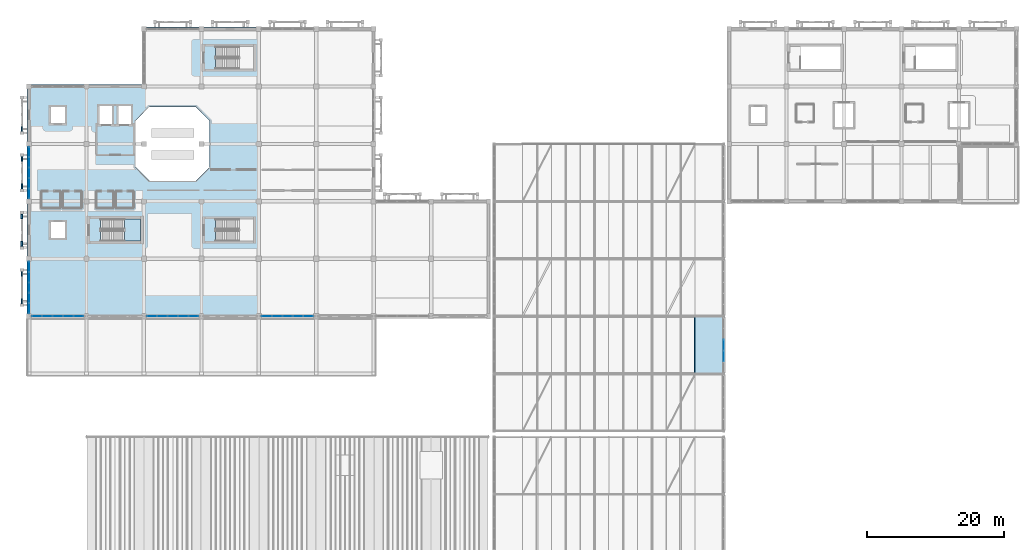
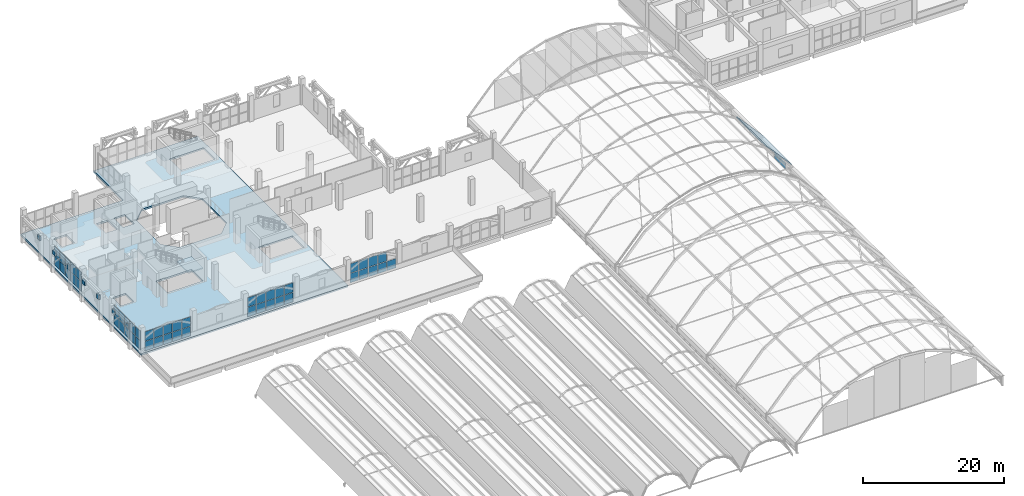
# One storey, part 91 of 114: 60 plates, 3 slabs, 7 elements without a shape of their own.
"""IFC4 building model written with IfcOpenShell, lengths in metres."""

import ifcopenshell
import ifcopenshell.guid

model = None  # the IFC model being written
_history = None  # IfcOwnerHistory: only IFC2X3 demands one
_inside = {}  # id of a spatial element -> (the spatial element, [elements in it])
_under = {}  # id of a project, library or spatial element -> (it, [spatial elements below it])
_declared = {}  # id of a project -> (the project, [libraries it declares])
_typed = {}  # id of a type object -> (the type object, [elements of that type])
_made_of = {}  # id of a material, layer set ... -> (it, [elements and type objects made of it])


def new_model(schema):
    """Start an empty IFC model of exactly this schema.

    Asked for "IFC4X3", IfcOpenShell would pick the latest addendum, in which some entities
    have other attributes; the version numbers below select the first issue.
    IFC2X3 requires an IfcOwnerHistory on every rooted entity: one is made here for all.
    """
    global model, _history
    if schema == "IFC4X3":
        model = ifcopenshell.file(schema_version=(4, 3, 0, 0))
    else:
        model = ifcopenshell.file(schema=schema)
    _inside.clear()
    _under.clear()
    _declared.clear()
    _typed.clear()
    _made_of.clear()
    _history = None
    if model.schema == "IFC2X3":
        org = make("IfcOrganization", Name="unknown")
        user = make(
            "IfcPersonAndOrganization",
            ThePerson=make("IfcPerson", FamilyName="unknown"),
            TheOrganization=org,
        )
        app = make(
            "IfcApplication",
            ApplicationDeveloper=org,
            Version="unknown",
            ApplicationFullName="unknown",
            ApplicationIdentifier="unknown",
        )
        _history = make(
            "IfcOwnerHistory",
            OwningUser=user,
            OwningApplication=app,
            ChangeAction="ADDED",
            CreationDate=0,
        )
    return model


def make(cls, **values):
    """One entity of the class cls with the attributes given. An attribute that is None is left unset."""
    return model.create_entity(
        cls, **{name: value for name, value in values.items() if value is not None}
    )


def rooted(cls, **values):
    """An entity with a GlobalId (a new one), such as an element, a storey or a relation."""
    return make(cls, GlobalId=ifcopenshell.guid.new(), OwnerHistory=_history, **values)


def si_unit(unit_type, name, prefix=None):
    """IfcSIUnit, for example si_unit("LENGTHUNIT", "METRE", prefix="MILLI")."""
    return make("IfcSIUnit", UnitType=unit_type, Prefix=prefix, Name=name)


def assignment(units):
    """IfcUnitAssignment: the units of a project."""
    return None if units is None else make("IfcUnitAssignment", Units=units)


def point(xyz):
    """IfcCartesianPoint."""
    return None if xyz is None else make("IfcCartesianPoint", Coordinates=xyz)


def direction(xyz):
    """IfcDirection."""
    return None if xyz is None else make("IfcDirection", DirectionRatios=xyz)


def frame(location, z_axis=None, x_axis=None):
    """IfcAxis2Placement3D, a coordinate frame: its origin and axes. An axis left out is left unset."""
    return make(
        "IfcAxis2Placement3D",
        Location=point(location),
        Axis=direction(z_axis),
        RefDirection=direction(x_axis),
    )


def frame_2d(location, x_axis=None):
    """IfcAxis2Placement2D, a coordinate frame in the plane: its origin and x axis."""
    return make(
        "IfcAxis2Placement2D", Location=point(location), RefDirection=direction(x_axis)
    )


def origin():
    """The frame at (0, 0, 0) with its axes left unset."""
    return frame((0.0, 0.0, 0.0))


def origin_2d():
    """The frame at (0, 0) in the plane with its x axis left unset."""
    return frame_2d((0.0, 0.0))


def place(relative_to, where):
    """IfcLocalPlacement: puts the frame where relative to a parent placement (None: the world)."""
    return make(
        "IfcLocalPlacement", PlacementRelTo=relative_to, RelativePlacement=where
    )


def context(
    kind, dimensions, precision=None, world=None, true_north=None, identifier=None
):
    """IfcGeometricRepresentationContext, for example the 3D "Model" context."""
    return make(
        "IfcGeometricRepresentationContext",
        ContextIdentifier=identifier,
        ContextType=kind,
        CoordinateSpaceDimension=dimensions,
        Precision=precision,
        WorldCoordinateSystem=world,
        TrueNorth=true_north,
    )


def subcontext(parent, identifier, kind, view, scale=None):
    """IfcGeometricRepresentationSubContext, for example "Body" below "Model"."""
    return make(
        "IfcGeometricRepresentationSubContext",
        ContextIdentifier=identifier,
        ContextType=kind,
        ParentContext=parent,
        TargetScale=scale,
        TargetView=view,
    )


def project(units=None, contexts=None):
    """IfcProject with its units and contexts."""
    return rooted(
        "IfcProject",
        Name="project",
        RepresentationContexts=contexts,
        UnitsInContext=assignment(units),
    )


def spatial(cls, under=None, at=None, **own):
    """A site, building, storey or space (cls), placed at a placement, below another one or the project."""
    s = rooted(cls, ObjectPlacement=at, **own)
    if under is not None:
        _under.setdefault(under.id(), (under, []))[1].append(s)
    return s


def polyline(points):
    """IfcPolyline through the points."""
    return make("IfcPolyline", Points=[point(p) for p in points])


def profile(cls, at=None, kind="AREA", **sizes):
    """A parametric profile (cls). Its sizes go by their IFC names, for example OverallWidth=200.0."""
    return make(cls, ProfileType=kind, Position=at, **sizes)


def rectangle(**sizes):
    """IfcRectangleProfileDef."""
    return profile("IfcRectangleProfileDef", **sizes)


def outline(outer, holes=None, kind="AREA"):
    """IfcArbitraryClosedProfileDef: a profile drawn as a closed curve; with holes, ...WithVoids."""
    if holes is None:
        return make("IfcArbitraryClosedProfileDef", ProfileType=kind, OuterCurve=outer)
    return make(
        "IfcArbitraryProfileDefWithVoids",
        ProfileType=kind,
        OuterCurve=outer,
        InnerCurves=holes,
    )


def extrude(swept, where, along, depth):
    """IfcExtrudedAreaSolid: the profile swept, set in the frame where, extruded along a direction by depth."""
    return make(
        "IfcExtrudedAreaSolid",
        SweptArea=swept,
        Position=where,
        ExtrudedDirection=direction(along),
        Depth=depth,
    )


def shape(context_of_items, identifier, shape_type, items):
    """IfcShapeRepresentation: the items that make up one representation, for example the "Body"."""
    return make(
        "IfcShapeRepresentation",
        ContextOfItems=context_of_items,
        RepresentationIdentifier=identifier,
        RepresentationType=shape_type,
        Items=items,
    )


def material(Name=None, Category=None):
    """IfcMaterial."""
    return make("IfcMaterial", Name=Name, Category=Category)


def layer(
    of_material, thickness, ventilated=None, Name=None, Category=None, Priority=None
):
    """IfcMaterialLayer: one layer of a wall or slab, of a material (None: an air gap)."""
    return make(
        "IfcMaterialLayer",
        Material=of_material,
        LayerThickness=thickness,
        IsVentilated=ventilated,
        Name=Name,
        Category=Category,
        Priority=Priority,
    )


def layer_set(layers, Name=None):
    """IfcMaterialLayerSet."""
    return make("IfcMaterialLayerSet", MaterialLayers=layers, LayerSetName=Name)


def made_of(thing, what):
    """Note that an element or type object is made of a material, layer set ...; save() writes the relation."""
    if what is not None:
        _made_of.setdefault(what.id(), (what, []))[1].append(thing)
    return thing


def type_object(cls, material=None, **own):
    """A type object (cls), such as IfcWallType, which elements share."""
    return made_of(rooted(cls, **own), material)


def element(
    cls,
    number,
    at=None,
    inside=None,
    cuts=None,
    type_object=None,
    material=None,
    context=None,
    identifier="Body",
    shape_type=None,
    held_by="IfcProductDefinitionShape",
    body=None,
    shapes=None,
    **own,
):
    """One element of the class cls, such as IfcWall. Its Tag is "e" and its number.

    at: its placement. inside: the storey or other place that contains it. cuts: it is an
    opening in that element (IfcRelVoidsElement). A single representation is given by context,
    identifier, shape_type and body (its items); several are given by shapes. held_by: the class
    of the entity that holds the representations. save() writes the other relations.
    """
    e = rooted(cls, Tag="e%d" % number, ObjectPlacement=at, **own)
    if body is not None:
        shapes = [shape(context, identifier, shape_type, body)]
    if shapes is not None:
        e.Representation = make(held_by, Representations=shapes)
    if inside is not None:
        _inside.setdefault(inside.id(), (inside, []))[1].append(e)
    if cuts is not None:
        rooted(
            "IfcRelVoidsElement", RelatingBuildingElement=cuts, RelatedOpeningElement=e
        )
    if type_object is not None:
        _typed.setdefault(type_object.id(), (type_object, []))[1].append(e)
    return made_of(e, material)


def aggregate(whole, parts):
    """IfcRelAggregates: a whole, such as a stair, and the parts it consists of."""
    return rooted("IfcRelAggregates", RelatingObject=whole, RelatedObjects=parts)


def save(model, path):
    """Write the relations noted so far, then the file.

    IfcRelAggregates (storeys below a building ...), IfcRelContainedInSpatialStructure (elements
    in a storey), IfcRelDefinesByType, IfcRelAssociatesMaterial and IfcRelDeclares: one each for
    every whole, place, type object, material and project.
    """
    for whole, parts in _under.values():
        aggregate(whole, parts)
    for where, things in _inside.values():
        rooted(
            "IfcRelContainedInSpatialStructure",
            RelatedElements=things,
            RelatingStructure=where,
        )
    for kind, things in _typed.values():
        rooted("IfcRelDefinesByType", RelatedObjects=things, RelatingType=kind)
    for what, things in _made_of.values():
        rooted("IfcRelAssociatesMaterial", RelatedObjects=things, RelatingMaterial=what)
    for by, libraries in _declared.values():
        rooted("IfcRelDeclares", RelatingContext=by, RelatedDefinitions=libraries)
    model.write(path)


model = new_model("IFC4")

# Units and contexts
model_context = context("Model", 3, precision=1e-05, world=origin(), true_north=direction((0.0, 1.0)))
body_context = subcontext(model_context, "Body", "Model", "MODEL_VIEW")
ifc_project = project(units=[si_unit("LENGTHUNIT", "METRE"), si_unit("AREAUNIT", "SQUARE_METRE"), si_unit("VOLUMEUNIT", "CUBIC_METRE"), si_unit("PLANEANGLEUNIT", "RADIAN"), si_unit("MASSUNIT", "GRAM", prefix="KILO")], contexts=[model_context])

# Site, building, storey
site_placement = place(None, origin())
site = spatial("IfcSite", under=ifc_project, at=site_placement, CompositionType="ELEMENT")
building_placement = place(site_placement, origin())
building = spatial("IfcBuilding", under=site, at=building_placement, Name="Xazarin Passage Department Store", CompositionType="ELEMENT")
storey_placement = place(building_placement, frame((0.0, 0.0, 14.39990234375)))
storey = spatial("IfcBuildingStorey", under=building, at=storey_placement, Name="L03", CompositionType="ELEMENT", Elevation=14.39990234375)

# Curtain wall, plates
ifc_material_1 = material(Name="Bronze anodised aluminium", Category="aluminium")
ifc_layer_1 = layer(ifc_material_1, 0.159912109375)
ifc_layer_set_1 = layer_set([ifc_layer_1], Name="Bronze anodised aluminium")
curtain_wall_type_1 = type_object("IfcCurtainWallType", Name="ARC-CW-ARC1", PredefinedType="NOTDEFINED", material=ifc_layer_set_1)
curtain_wall_1_placement = place(storey_placement, origin())
curtain_wall_1 = element("IfcCurtainWall", 1, at=curtain_wall_1_placement, inside=storey, type_object=curtain_wall_type_1, Name="L03 V2N Galleria Clerestory Curtain Wall 2E", PredefinedType="NOTDEFINED")
ifc_material_2 = material(Name="Low-E laminated safety glass", Category="glass")
ifc_layer_2 = layer(ifc_material_2, 0.028076171875)
ifc_layer_set_2 = layer_set([ifc_layer_2], Name="Low-E laminated safety glass")
plate_type_1 = type_object("IfcPlateType", Name="ARC-CWP-GLZ28", PredefinedType="CURTAIN_PANEL", material=ifc_layer_set_2)
plate_1_placement = place(storey_placement, frame((101.60009765625, 62.18408203125, 0.065185546875), z_axis=(0.0, 0.0, 1.0), x_axis=(0.0, 1.0, 0.0)))
plate_1 = element("IfcPlate", 2, at=plate_1_placement, type_object=plate_type_1, Name="CW3 panel 2.1", PredefinedType="CURTAIN_PANEL", context=body_context, shape_type="SweptSolid", body=[
    extrude(rectangle(XDim=1.551025390625, YDim=0.028076171875, at=origin_2d()), origin(), (0.0, 0.0, 1.0), 0.5283203125),
])
plate_2_placement = place(storey_placement, frame((101.60009765625, 62.18408203125, 0.658447265625), z_axis=(0.0, 0.0, 1.0), x_axis=(0.0, 1.0, 0.0)))
plate_2 = element("IfcPlate", 3, at=plate_2_placement, type_object=plate_type_1, Name="CW3 panel 2.2", PredefinedType="CURTAIN_PANEL", context=body_context, shape_type="SweptSolid", body=[
    extrude(rectangle(XDim=1.551025390625, YDim=0.028076171875, at=origin_2d()), origin(), (0.0, 0.0, 1.0), 0.5283203125),
])
plate_3_placement = place(storey_placement, frame((101.60009765625, 63.800048828125, 0.065185546875), z_axis=(0.0, 0.0, 1.0), x_axis=(0.0, 1.0, 0.0)))
plate_3 = element("IfcPlate", 4, at=plate_3_placement, type_object=plate_type_1, Name="CW3 panel 3.1", PredefinedType="CURTAIN_PANEL", context=body_context, shape_type="SweptSolid", body=[
    extrude(rectangle(XDim=1.551025390625, YDim=0.028076171875, at=origin_2d()), origin(), (0.0, 0.0, 1.0), 0.5283203125),
])
plate_4_placement = place(storey_placement, frame((101.60009765625, 63.800048828125, 0.658447265625), z_axis=(0.0, 0.0, 1.0), x_axis=(0.0, 1.0, 0.0)))
plate_4 = element("IfcPlate", 5, at=plate_4_placement, type_object=plate_type_1, Name="CW3 panel 3.2", PredefinedType="CURTAIN_PANEL", context=body_context, shape_type="SweptSolid", body=[
    extrude(rectangle(XDim=1.551025390625, YDim=0.028076171875, at=origin_2d()), origin(), (0.0, 0.0, 1.0), 0.5283203125),
])
aggregate(curtain_wall_1, [plate_1, plate_2, plate_3, plate_4])

ifc_layer_3 = layer(ifc_material_1, 0.199951171875)
ifc_layer_set_3 = layer_set([ifc_layer_3], Name="Bronze anodised aluminium")
curtain_wall_type_2 = type_object("IfcCurtainWallType", Name="ARC-CW-VIT2", PredefinedType="NOTDEFINED", material=ifc_layer_set_3)
curtain_wall_2_placement = place(storey_placement, origin())
curtain_wall_2 = element("IfcCurtainWall", 6, at=curtain_wall_2_placement, inside=storey, type_object=curtain_wall_type_2, Name="L03 V1 Curtain Wall 055", PredefinedType="NOTDEFINED")
ifc_layer_4 = layer(ifc_material_2, 0.031982421875)
ifc_layer_set_4 = layer_set([ifc_layer_4], Name="Low-E laminated safety glass")
plate_type_2 = type_object("IfcPlateType", Name="ARC-CWP-GLZ32", PredefinedType="CURTAIN_PANEL", material=ifc_layer_set_4)
plate_5_placement = place(storey_placement, frame((1.15869140625, 68.0, 0.0751953125), z_axis=(0.0, 0.0, 1.0), x_axis=(1.0, 0.0, 0.0)))
plate_5 = element("IfcPlate", 7, at=plate_5_placement, type_object=plate_type_2, Name="CW2 panel 1.1", PredefinedType="CURTAIN_PANEL", context=body_context, shape_type="SweptSolid", body=[
    extrude(rectangle(XDim=1.41748046875, YDim=0.031982421875, at=origin_2d()), origin(), (0.0, 0.0, 1.0), 1.612548828125),
])
plate_6_placement = place(storey_placement, frame((1.15869140625, 68.0, 1.7626953125), z_axis=(0.0, 0.0, 1.0), x_axis=(1.0, 0.0, 0.0)))
plate_6 = element("IfcPlate", 8, at=plate_6_placement, type_object=plate_type_2, Name="CW2 panel 1.2", PredefinedType="CURTAIN_PANEL", context=body_context, shape_type="SweptSolid", body=[
    extrude(rectangle(XDim=1.41748046875, YDim=0.031982421875, at=origin_2d()), origin(), (0.0, 0.0, 1.0), 1.612548828125),
])
plate_7_placement = place(storey_placement, frame((2.669921875, 68.0, 0.0751953125), z_axis=(0.0, 0.0, 1.0), x_axis=(1.0, 0.0, 0.0)))
plate_7 = element("IfcPlate", 9, at=plate_7_placement, type_object=plate_type_2, Name="CW2 panel 2.1", PredefinedType="CURTAIN_PANEL", context=body_context, shape_type="SweptSolid", body=[
    extrude(rectangle(XDim=1.455078125, YDim=0.031982421875, at=origin_2d()), origin(), (0.0, 0.0, 1.0), 1.612548828125),
])
plate_8_placement = place(storey_placement, frame((2.669921875, 68.0, 1.7626953125), z_axis=(0.0, 0.0, 1.0), x_axis=(1.0, 0.0, 0.0)))
plate_8 = element("IfcPlate", 10, at=plate_8_placement, type_object=plate_type_2, Name="CW2 panel 2.2", PredefinedType="CURTAIN_PANEL", context=body_context, shape_type="SweptSolid", body=[
    extrude(rectangle(XDim=1.455078125, YDim=0.031982421875, at=origin_2d()), origin(), (0.0, 0.0, 1.0), 1.612548828125),
])
plate_9_placement = place(storey_placement, frame((4.199951171875, 68.0, 0.0751953125), z_axis=(0.0, 0.0, 1.0), x_axis=(1.0, 0.0, 0.0)))
plate_9 = element("IfcPlate", 11, at=plate_9_placement, type_object=plate_type_2, Name="CW2 panel 3.1", PredefinedType="CURTAIN_PANEL", context=body_context, shape_type="SweptSolid", body=[
    extrude(rectangle(XDim=1.455078125, YDim=0.031982421875, at=origin_2d()), origin(), (0.0, 0.0, 1.0), 1.612548828125),
])
plate_10_placement = place(storey_placement, frame((4.199951171875, 68.0, 1.7626953125), z_axis=(0.0, 0.0, 1.0), x_axis=(1.0, 0.0, 0.0)))
plate_10 = element("IfcPlate", 12, at=plate_10_placement, type_object=plate_type_2, Name="CW2 panel 3.2", PredefinedType="CURTAIN_PANEL", context=body_context, shape_type="SweptSolid", body=[
    extrude(rectangle(XDim=1.455078125, YDim=0.031982421875, at=origin_2d()), origin(), (0.0, 0.0, 1.0), 1.612548828125),
])
plate_11_placement = place(storey_placement, frame((5.72998046875, 68.0, 0.0751953125), z_axis=(0.0, 0.0, 1.0), x_axis=(1.0, 0.0, 0.0)))
plate_11 = element("IfcPlate", 13, at=plate_11_placement, type_object=plate_type_2, Name="CW2 panel 4.1", PredefinedType="CURTAIN_PANEL", context=body_context, shape_type="SweptSolid", body=[
    extrude(rectangle(XDim=1.455078125, YDim=0.031982421875, at=origin_2d()), origin(), (0.0, 0.0, 1.0), 1.612548828125),
])
plate_12_placement = place(storey_placement, frame((5.72998046875, 68.0, 1.7626953125), z_axis=(0.0, 0.0, 1.0), x_axis=(1.0, 0.0, 0.0)))
plate_12 = element("IfcPlate", 14, at=plate_12_placement, type_object=plate_type_2, Name="CW2 panel 4.2", PredefinedType="CURTAIN_PANEL", context=body_context, shape_type="SweptSolid", body=[
    extrude(rectangle(XDim=1.455078125, YDim=0.031982421875, at=origin_2d()), origin(), (0.0, 0.0, 1.0), 1.612548828125),
])
plate_13_placement = place(storey_placement, frame((7.2412109375, 68.0, 0.0751953125), z_axis=(0.0, 0.0, 1.0), x_axis=(1.0, 0.0, 0.0)))
plate_13 = element("IfcPlate", 15, at=plate_13_placement, type_object=plate_type_2, Name="CW2 panel 5.1", PredefinedType="CURTAIN_PANEL", context=body_context, shape_type="SweptSolid", body=[
    extrude(rectangle(XDim=1.41748046875, YDim=0.031982421875, at=origin_2d()), origin(), (0.0, 0.0, 1.0), 1.612548828125),
])
plate_14_placement = place(storey_placement, frame((7.2412109375, 68.0, 1.7626953125), z_axis=(0.0, 0.0, 1.0), x_axis=(1.0, 0.0, 0.0)))
plate_14 = element("IfcPlate", 16, at=plate_14_placement, type_object=plate_type_2, Name="CW2 panel 5.2", PredefinedType="CURTAIN_PANEL", context=body_context, shape_type="SweptSolid", body=[
    extrude(rectangle(XDim=1.41748046875, YDim=0.031982421875, at=origin_2d()), origin(), (0.0, 0.0, 1.0), 1.612548828125),
])
aggregate(curtain_wall_2, [plate_5, plate_6, plate_7, plate_8, plate_9, plate_10, plate_11, plate_12, plate_13, plate_14])

curtain_wall_3_placement = place(storey_placement, origin())
curtain_wall_3 = element("IfcCurtainWall", 17, at=curtain_wall_3_placement, inside=storey, type_object=curtain_wall_type_2, Name="L03 V1 Curtain Wall 056", PredefinedType="NOTDEFINED")
plate_15_placement = place(storey_placement, frame((17.958740234375, 68.0, 0.0751953125), z_axis=(0.0, 0.0, 1.0), x_axis=(1.0, 0.0, 0.0)))
plate_15 = element("IfcPlate", 18, at=plate_15_placement, type_object=plate_type_2, Name="CW2 panel 1.1", PredefinedType="CURTAIN_PANEL", context=body_context, shape_type="SweptSolid", body=[
    extrude(rectangle(XDim=1.41748046875, YDim=0.031982421875, at=origin_2d()), origin(), (0.0, 0.0, 1.0), 1.612548828125),
])
plate_16_placement = place(storey_placement, frame((17.958740234375, 68.0, 1.7626953125), z_axis=(0.0, 0.0, 1.0), x_axis=(1.0, 0.0, 0.0)))
plate_16 = element("IfcPlate", 19, at=plate_16_placement, type_object=plate_type_2, Name="CW2 panel 1.2", PredefinedType="CURTAIN_PANEL", context=body_context, shape_type="SweptSolid", body=[
    extrude(rectangle(XDim=1.41748046875, YDim=0.031982421875, at=origin_2d()), origin(), (0.0, 0.0, 1.0), 1.612548828125),
])
plate_17_placement = place(storey_placement, frame((19.469970703125, 68.0, 0.0751953125), z_axis=(0.0, 0.0, 1.0), x_axis=(1.0, 0.0, 0.0)))
plate_17 = element("IfcPlate", 20, at=plate_17_placement, type_object=plate_type_2, Name="CW2 panel 2.1", PredefinedType="CURTAIN_PANEL", context=body_context, shape_type="SweptSolid", body=[
    extrude(rectangle(XDim=1.455078125, YDim=0.031982421875, at=origin_2d()), origin(), (0.0, 0.0, 1.0), 1.612548828125),
])
plate_18_placement = place(storey_placement, frame((19.469970703125, 68.0, 1.7626953125), z_axis=(0.0, 0.0, 1.0), x_axis=(1.0, 0.0, 0.0)))
plate_18 = element("IfcPlate", 21, at=plate_18_placement, type_object=plate_type_2, Name="CW2 panel 2.2", PredefinedType="CURTAIN_PANEL", context=body_context, shape_type="SweptSolid", body=[
    extrude(rectangle(XDim=1.455078125, YDim=0.031982421875, at=origin_2d()), origin(), (0.0, 0.0, 1.0), 1.612548828125),
])
plate_19_placement = place(storey_placement, frame((21.0, 68.0, 0.0751953125), z_axis=(0.0, 0.0, 1.0), x_axis=(1.0, 0.0, 0.0)))
plate_19 = element("IfcPlate", 22, at=plate_19_placement, type_object=plate_type_2, Name="CW2 panel 3.1", PredefinedType="CURTAIN_PANEL", context=body_context, shape_type="SweptSolid", body=[
    extrude(rectangle(XDim=1.455078125, YDim=0.031982421875, at=origin_2d()), origin(), (0.0, 0.0, 1.0), 1.612548828125),
])
plate_20_placement = place(storey_placement, frame((21.0, 68.0, 1.7626953125), z_axis=(0.0, 0.0, 1.0), x_axis=(1.0, 0.0, 0.0)))
plate_20 = element("IfcPlate", 23, at=plate_20_placement, type_object=plate_type_2, Name="CW2 panel 3.2", PredefinedType="CURTAIN_PANEL", context=body_context, shape_type="SweptSolid", body=[
    extrude(rectangle(XDim=1.455078125, YDim=0.031982421875, at=origin_2d()), origin(), (0.0, 0.0, 1.0), 1.612548828125),
])
plate_21_placement = place(storey_placement, frame((22.530029296875, 68.0, 0.0751953125), z_axis=(0.0, 0.0, 1.0), x_axis=(1.0, 0.0, 0.0)))
plate_21 = element("IfcPlate", 24, at=plate_21_placement, type_object=plate_type_2, Name="CW2 panel 4.1", PredefinedType="CURTAIN_PANEL", context=body_context, shape_type="SweptSolid", body=[
    extrude(rectangle(XDim=1.455078125, YDim=0.031982421875, at=origin_2d()), origin(), (0.0, 0.0, 1.0), 1.612548828125),
])
plate_22_placement = place(storey_placement, frame((22.530029296875, 68.0, 1.7626953125), z_axis=(0.0, 0.0, 1.0), x_axis=(1.0, 0.0, 0.0)))
plate_22 = element("IfcPlate", 25, at=plate_22_placement, type_object=plate_type_2, Name="CW2 panel 4.2", PredefinedType="CURTAIN_PANEL", context=body_context, shape_type="SweptSolid", body=[
    extrude(rectangle(XDim=1.455078125, YDim=0.031982421875, at=origin_2d()), origin(), (0.0, 0.0, 1.0), 1.612548828125),
])
plate_23_placement = place(storey_placement, frame((24.041259765625, 68.0, 0.0751953125), z_axis=(0.0, 0.0, 1.0), x_axis=(1.0, 0.0, 0.0)))
plate_23 = element("IfcPlate", 26, at=plate_23_placement, type_object=plate_type_2, Name="CW2 panel 5.1", PredefinedType="CURTAIN_PANEL", context=body_context, shape_type="SweptSolid", body=[
    extrude(rectangle(XDim=1.41748046875, YDim=0.031982421875, at=origin_2d()), origin(), (0.0, 0.0, 1.0), 1.612548828125),
])
plate_24_placement = place(storey_placement, frame((24.041259765625, 68.0, 1.7626953125), z_axis=(0.0, 0.0, 1.0), x_axis=(1.0, 0.0, 0.0)))
plate_24 = element("IfcPlate", 27, at=plate_24_placement, type_object=plate_type_2, Name="CW2 panel 5.2", PredefinedType="CURTAIN_PANEL", context=body_context, shape_type="SweptSolid", body=[
    extrude(rectangle(XDim=1.41748046875, YDim=0.031982421875, at=origin_2d()), origin(), (0.0, 0.0, 1.0), 1.612548828125),
])
aggregate(curtain_wall_3, [plate_15, plate_16, plate_17, plate_18, plate_19, plate_20, plate_21, plate_22, plate_23, plate_24])

curtain_wall_4_placement = place(storey_placement, origin())
curtain_wall_4 = element("IfcCurtainWall", 28, at=curtain_wall_4_placement, inside=storey, type_object=curtain_wall_type_2, Name="L03 V1 Curtain Wall 057", PredefinedType="NOTDEFINED")
plate_25_placement = place(storey_placement, frame((34.7587890625, 68.0, 0.0751953125), z_axis=(0.0, 0.0, 1.0), x_axis=(1.0, 0.0, 0.0)))
plate_25 = element("IfcPlate", 29, at=plate_25_placement, type_object=plate_type_2, Name="CW2 panel 1.1", PredefinedType="CURTAIN_PANEL", context=body_context, shape_type="SweptSolid", body=[
    extrude(rectangle(XDim=1.41748046875, YDim=0.031982421875, at=origin_2d()), origin(), (0.0, 0.0, 1.0), 1.612548828125),
])
plate_26_placement = place(storey_placement, frame((34.7587890625, 68.0, 1.7626953125), z_axis=(0.0, 0.0, 1.0), x_axis=(1.0, 0.0, 0.0)))
plate_26 = element("IfcPlate", 30, at=plate_26_placement, type_object=plate_type_2, Name="CW2 panel 1.2", PredefinedType="CURTAIN_PANEL", context=body_context, shape_type="SweptSolid", body=[
    extrude(rectangle(XDim=1.41748046875, YDim=0.031982421875, at=origin_2d()), origin(), (0.0, 0.0, 1.0), 1.612548828125),
])
plate_27_placement = place(storey_placement, frame((36.27001953125, 68.0, 0.0751953125), z_axis=(0.0, 0.0, 1.0), x_axis=(1.0, 0.0, 0.0)))
plate_27 = element("IfcPlate", 31, at=plate_27_placement, type_object=plate_type_2, Name="CW2 panel 2.1", PredefinedType="CURTAIN_PANEL", context=body_context, shape_type="SweptSolid", body=[
    extrude(rectangle(XDim=1.455078125, YDim=0.031982421875, at=origin_2d()), origin(), (0.0, 0.0, 1.0), 1.612548828125),
])
plate_28_placement = place(storey_placement, frame((36.27001953125, 68.0, 1.7626953125), z_axis=(0.0, 0.0, 1.0), x_axis=(1.0, 0.0, 0.0)))
plate_28 = element("IfcPlate", 32, at=plate_28_placement, type_object=plate_type_2, Name="CW2 panel 2.2", PredefinedType="CURTAIN_PANEL", context=body_context, shape_type="SweptSolid", body=[
    extrude(rectangle(XDim=1.455078125, YDim=0.031982421875, at=origin_2d()), origin(), (0.0, 0.0, 1.0), 1.612548828125),
])
plate_29_placement = place(storey_placement, frame((37.800048828125, 68.0, 0.0751953125), z_axis=(0.0, 0.0, 1.0), x_axis=(1.0, 0.0, 0.0)))
plate_29 = element("IfcPlate", 33, at=plate_29_placement, type_object=plate_type_2, Name="CW2 panel 3.1", PredefinedType="CURTAIN_PANEL", context=body_context, shape_type="SweptSolid", body=[
    extrude(rectangle(XDim=1.455078125, YDim=0.031982421875, at=origin_2d()), origin(), (0.0, 0.0, 1.0), 1.612548828125),
])
plate_30_placement = place(storey_placement, frame((37.800048828125, 68.0, 1.7626953125), z_axis=(0.0, 0.0, 1.0), x_axis=(1.0, 0.0, 0.0)))
plate_30 = element("IfcPlate", 34, at=plate_30_placement, type_object=plate_type_2, Name="CW2 panel 3.2", PredefinedType="CURTAIN_PANEL", context=body_context, shape_type="SweptSolid", body=[
    extrude(rectangle(XDim=1.455078125, YDim=0.031982421875, at=origin_2d()), origin(), (0.0, 0.0, 1.0), 1.612548828125),
])
plate_31_placement = place(storey_placement, frame((39.330078125, 68.0, 0.0751953125), z_axis=(0.0, 0.0, 1.0), x_axis=(1.0, 0.0, 0.0)))
plate_31 = element("IfcPlate", 35, at=plate_31_placement, type_object=plate_type_2, Name="CW2 panel 4.1", PredefinedType="CURTAIN_PANEL", context=body_context, shape_type="SweptSolid", body=[
    extrude(rectangle(XDim=1.455078125, YDim=0.031982421875, at=origin_2d()), origin(), (0.0, 0.0, 1.0), 1.612548828125),
])
plate_32_placement = place(storey_placement, frame((39.330078125, 68.0, 1.7626953125), z_axis=(0.0, 0.0, 1.0), x_axis=(1.0, 0.0, 0.0)))
plate_32 = element("IfcPlate", 36, at=plate_32_placement, type_object=plate_type_2, Name="CW2 panel 4.2", PredefinedType="CURTAIN_PANEL", context=body_context, shape_type="SweptSolid", body=[
    extrude(rectangle(XDim=1.455078125, YDim=0.031982421875, at=origin_2d()), origin(), (0.0, 0.0, 1.0), 1.612548828125),
])
plate_33_placement = place(storey_placement, frame((40.84130859375, 68.0, 0.0751953125), z_axis=(0.0, 0.0, 1.0), x_axis=(1.0, 0.0, 0.0)))
plate_33 = element("IfcPlate", 37, at=plate_33_placement, type_object=plate_type_2, Name="CW2 panel 5.1", PredefinedType="CURTAIN_PANEL", context=body_context, shape_type="SweptSolid", body=[
    extrude(rectangle(XDim=1.41748046875, YDim=0.031982421875, at=origin_2d()), origin(), (0.0, 0.0, 1.0), 1.612548828125),
])
aggregate(curtain_wall_4, [plate_25, plate_26, plate_27, plate_28, plate_29, plate_30, plate_31, plate_32, plate_33])

curtain_wall_5_placement = place(storey_placement, origin())
curtain_wall_5 = element("IfcCurtainWall", 38, at=curtain_wall_5_placement, inside=storey, type_object=curtain_wall_type_2, Name="L03 V1 Curtain Wall 063", PredefinedType="NOTDEFINED")
plate_34_placement = place(storey_placement, frame((0.0, 69.15869140625, 0.0751953125), z_axis=(0.0, 0.0, 1.0), x_axis=(0.0, 1.0, 0.0)))
plate_34 = element("IfcPlate", 39, at=plate_34_placement, type_object=plate_type_2, Name="CW2 panel 1.1", PredefinedType="CURTAIN_PANEL", context=body_context, shape_type="SweptSolid", body=[
    extrude(rectangle(XDim=1.41748046875, YDim=0.031982421875, at=origin_2d()), origin(), (0.0, 0.0, 1.0), 1.612548828125),
])
plate_35_placement = place(storey_placement, frame((0.0, 69.15869140625, 1.7626953125), z_axis=(0.0, 0.0, 1.0), x_axis=(0.0, 1.0, 0.0)))
plate_35 = element("IfcPlate", 40, at=plate_35_placement, type_object=plate_type_2, Name="CW2 panel 1.2", PredefinedType="CURTAIN_PANEL", context=body_context, shape_type="SweptSolid", body=[
    extrude(rectangle(XDim=1.41748046875, YDim=0.031982421875, at=origin_2d()), origin(), (0.0, 0.0, 1.0), 1.612548828125),
])
plate_36_placement = place(storey_placement, frame((0.0, 70.669921875, 0.0751953125), z_axis=(0.0, 0.0, 1.0), x_axis=(0.0, 1.0, 0.0)))
plate_36 = element("IfcPlate", 41, at=plate_36_placement, type_object=plate_type_2, Name="CW2 panel 2.1", PredefinedType="CURTAIN_PANEL", context=body_context, shape_type="SweptSolid", body=[
    extrude(rectangle(XDim=1.455078125, YDim=0.031982421875, at=origin_2d()), origin(), (0.0, 0.0, 1.0), 1.612548828125),
])
plate_37_placement = place(storey_placement, frame((0.0, 70.669921875, 1.7626953125), z_axis=(0.0, 0.0, 1.0), x_axis=(0.0, 1.0, 0.0)))
plate_37 = element("IfcPlate", 42, at=plate_37_placement, type_object=plate_type_2, Name="CW2 panel 2.2", PredefinedType="CURTAIN_PANEL", context=body_context, shape_type="SweptSolid", body=[
    extrude(rectangle(XDim=1.455078125, YDim=0.031982421875, at=origin_2d()), origin(), (0.0, 0.0, 1.0), 1.612548828125),
])
plate_38_placement = place(storey_placement, frame((0.0, 72.199951171875, 0.0751953125), z_axis=(0.0, 0.0, 1.0), x_axis=(0.0, 1.0, 0.0)))
plate_38 = element("IfcPlate", 43, at=plate_38_placement, type_object=plate_type_2, Name="CW2 panel 3.1", PredefinedType="CURTAIN_PANEL", context=body_context, shape_type="SweptSolid", body=[
    extrude(rectangle(XDim=1.455078125, YDim=0.031982421875, at=origin_2d()), origin(), (0.0, 0.0, 1.0), 1.612548828125),
])
plate_39_placement = place(storey_placement, frame((0.0, 72.199951171875, 1.7626953125), z_axis=(0.0, 0.0, 1.0), x_axis=(0.0, 1.0, 0.0)))
plate_39 = element("IfcPlate", 44, at=plate_39_placement, type_object=plate_type_2, Name="CW2 panel 3.2", PredefinedType="CURTAIN_PANEL", context=body_context, shape_type="SweptSolid", body=[
    extrude(rectangle(XDim=1.455078125, YDim=0.031982421875, at=origin_2d()), origin(), (0.0, 0.0, 1.0), 1.612548828125),
])
plate_40_placement = place(storey_placement, frame((0.0, 73.72998046875, 0.0751953125), z_axis=(0.0, 0.0, 1.0), x_axis=(0.0, 1.0, 0.0)))
plate_40 = element("IfcPlate", 45, at=plate_40_placement, type_object=plate_type_2, Name="CW2 panel 4.1", PredefinedType="CURTAIN_PANEL", context=body_context, shape_type="SweptSolid", body=[
    extrude(rectangle(XDim=1.455078125, YDim=0.031982421875, at=origin_2d()), origin(), (0.0, 0.0, 1.0), 1.612548828125),
])
plate_41_placement = place(storey_placement, frame((0.0, 73.72998046875, 1.7626953125), z_axis=(0.0, 0.0, 1.0), x_axis=(0.0, 1.0, 0.0)))
plate_41 = element("IfcPlate", 46, at=plate_41_placement, type_object=plate_type_2, Name="CW2 panel 4.2", PredefinedType="CURTAIN_PANEL", context=body_context, shape_type="SweptSolid", body=[
    extrude(rectangle(XDim=1.455078125, YDim=0.031982421875, at=origin_2d()), origin(), (0.0, 0.0, 1.0), 1.612548828125),
])
plate_42_placement = place(storey_placement, frame((0.0, 75.2412109375, 0.0751953125), z_axis=(0.0, 0.0, 1.0), x_axis=(0.0, 1.0, 0.0)))
plate_42 = element("IfcPlate", 47, at=plate_42_placement, type_object=plate_type_2, Name="CW2 panel 5.1", PredefinedType="CURTAIN_PANEL", context=body_context, shape_type="SweptSolid", body=[
    extrude(rectangle(XDim=1.41748046875, YDim=0.031982421875, at=origin_2d()), origin(), (0.0, 0.0, 1.0), 1.612548828125),
])
plate_43_placement = place(storey_placement, frame((0.0, 75.2412109375, 1.7626953125), z_axis=(0.0, 0.0, 1.0), x_axis=(0.0, 1.0, 0.0)))
plate_43 = element("IfcPlate", 48, at=plate_43_placement, type_object=plate_type_2, Name="CW2 panel 5.2", PredefinedType="CURTAIN_PANEL", context=body_context, shape_type="SweptSolid", body=[
    extrude(rectangle(XDim=1.41748046875, YDim=0.031982421875, at=origin_2d()), origin(), (0.0, 0.0, 1.0), 1.612548828125),
])
aggregate(curtain_wall_5, [plate_34, plate_35, plate_36, plate_37, plate_38, plate_39, plate_40, plate_41, plate_42, plate_43])

curtain_wall_6_placement = place(storey_placement, origin())
curtain_wall_6 = element("IfcCurtainWall", 49, at=curtain_wall_6_placement, inside=storey, type_object=curtain_wall_type_2, Name="L03 V1 Curtain Wall 064", PredefinedType="NOTDEFINED")
plate_44_placement = place(storey_placement, frame((0.0, 85.958740234375, 0.0751953125), z_axis=(0.0, 0.0, 1.0), x_axis=(0.0, 1.0, 0.0)))
plate_44 = element("IfcPlate", 50, at=plate_44_placement, type_object=plate_type_2, Name="CW2 panel 1.1", PredefinedType="CURTAIN_PANEL", context=body_context, shape_type="SweptSolid", body=[
    extrude(rectangle(XDim=1.41748046875, YDim=0.031982421875, at=origin_2d()), origin(), (0.0, 0.0, 1.0), 1.612548828125),
])
plate_45_placement = place(storey_placement, frame((0.0, 85.958740234375, 1.7626953125), z_axis=(0.0, 0.0, 1.0), x_axis=(0.0, 1.0, 0.0)))
plate_45 = element("IfcPlate", 51, at=plate_45_placement, type_object=plate_type_2, Name="CW2 panel 1.2", PredefinedType="CURTAIN_PANEL", context=body_context, shape_type="SweptSolid", body=[
    extrude(rectangle(XDim=1.41748046875, YDim=0.031982421875, at=origin_2d()), origin(), (0.0, 0.0, 1.0), 1.612548828125),
])
plate_46_placement = place(storey_placement, frame((0.0, 87.469970703125, 0.0751953125), z_axis=(0.0, 0.0, 1.0), x_axis=(0.0, 1.0, 0.0)))
plate_46 = element("IfcPlate", 52, at=plate_46_placement, type_object=plate_type_2, Name="CW2 panel 2.1", PredefinedType="CURTAIN_PANEL", context=body_context, shape_type="SweptSolid", body=[
    extrude(rectangle(XDim=1.455078125, YDim=0.031982421875, at=origin_2d()), origin(), (0.0, 0.0, 1.0), 1.612548828125),
])
plate_47_placement = place(storey_placement, frame((0.0, 87.469970703125, 1.7626953125), z_axis=(0.0, 0.0, 1.0), x_axis=(0.0, 1.0, 0.0)))
plate_47 = element("IfcPlate", 53, at=plate_47_placement, type_object=plate_type_2, Name="CW2 panel 2.2", PredefinedType="CURTAIN_PANEL", context=body_context, shape_type="SweptSolid", body=[
    extrude(rectangle(XDim=1.455078125, YDim=0.031982421875, at=origin_2d()), origin(), (0.0, 0.0, 1.0), 1.612548828125),
])
plate_48_placement = place(storey_placement, frame((0.0, 89.0, 0.0751953125), z_axis=(0.0, 0.0, 1.0), x_axis=(0.0, 1.0, 0.0)))
plate_48 = element("IfcPlate", 54, at=plate_48_placement, type_object=plate_type_2, Name="CW2 panel 3.1", PredefinedType="CURTAIN_PANEL", context=body_context, shape_type="SweptSolid", body=[
    extrude(rectangle(XDim=1.455078125, YDim=0.031982421875, at=origin_2d()), origin(), (0.0, 0.0, 1.0), 1.612548828125),
])
plate_49_placement = place(storey_placement, frame((0.0, 89.0, 1.7626953125), z_axis=(0.0, 0.0, 1.0), x_axis=(0.0, 1.0, 0.0)))
plate_49 = element("IfcPlate", 55, at=plate_49_placement, type_object=plate_type_2, Name="CW2 panel 3.2", PredefinedType="CURTAIN_PANEL", context=body_context, shape_type="SweptSolid", body=[
    extrude(rectangle(XDim=1.455078125, YDim=0.031982421875, at=origin_2d()), origin(), (0.0, 0.0, 1.0), 1.612548828125),
])
plate_50_placement = place(storey_placement, frame((0.0, 90.530029296875, 0.0751953125), z_axis=(0.0, 0.0, 1.0), x_axis=(0.0, 1.0, 0.0)))
plate_50 = element("IfcPlate", 56, at=plate_50_placement, type_object=plate_type_2, Name="CW2 panel 4.1", PredefinedType="CURTAIN_PANEL", context=body_context, shape_type="SweptSolid", body=[
    extrude(rectangle(XDim=1.455078125, YDim=0.031982421875, at=origin_2d()), origin(), (0.0, 0.0, 1.0), 1.612548828125),
])
plate_51_placement = place(storey_placement, frame((0.0, 90.530029296875, 1.7626953125), z_axis=(0.0, 0.0, 1.0), x_axis=(0.0, 1.0, 0.0)))
plate_51 = element("IfcPlate", 57, at=plate_51_placement, type_object=plate_type_2, Name="CW2 panel 4.2", PredefinedType="CURTAIN_PANEL", context=body_context, shape_type="SweptSolid", body=[
    extrude(rectangle(XDim=1.455078125, YDim=0.031982421875, at=origin_2d()), origin(), (0.0, 0.0, 1.0), 1.612548828125),
])
plate_52_placement = place(storey_placement, frame((0.0, 92.041259765625, 0.0751953125), z_axis=(0.0, 0.0, 1.0), x_axis=(0.0, 1.0, 0.0)))
plate_52 = element("IfcPlate", 58, at=plate_52_placement, type_object=plate_type_2, Name="CW2 panel 5.1", PredefinedType="CURTAIN_PANEL", context=body_context, shape_type="SweptSolid", body=[
    extrude(rectangle(XDim=1.41748046875, YDim=0.031982421875, at=origin_2d()), origin(), (0.0, 0.0, 1.0), 1.612548828125),
])
plate_53_placement = place(storey_placement, frame((0.0, 92.041259765625, 1.7626953125), z_axis=(0.0, 0.0, 1.0), x_axis=(0.0, 1.0, 0.0)))
plate_53 = element("IfcPlate", 59, at=plate_53_placement, type_object=plate_type_2, Name="CW2 panel 5.2", PredefinedType="CURTAIN_PANEL", context=body_context, shape_type="SweptSolid", body=[
    extrude(rectangle(XDim=1.41748046875, YDim=0.031982421875, at=origin_2d()), origin(), (0.0, 0.0, 1.0), 1.612548828125),
])
aggregate(curtain_wall_6, [plate_44, plate_45, plate_46, plate_47, plate_48, plate_49, plate_50, plate_51, plate_52, plate_53])

# Plates
ifc_material_3 = material(Name="Precast concrete C40/50", Category="concrete")
ifc_layer_5 = layer(ifc_material_3, 0.159912109375)
ifc_layer_set_5 = layer_set([ifc_layer_5], Name="Precast concrete C40/50")
plate_type_3 = type_object("IfcPlateType", Name="ARC-PLT-SCR-09", PredefinedType="USERDEFINED", material=ifc_layer_set_5)
for number, where, z_axis, x_axis, name in (
    (60, (-1.050048828125, 70.199951171875, 3.26025390625), (0.0, 0.0, 1.0), (0.0, 1.0, 0.0), "L03 V1 Arch Spandrel Tympanum 0089"),
    (61, (-1.050048828125, 74.199951171875, 3.26025390625), (0.0, 0.0, 1.0), (0.0, 1.0, 0.0), "L03 V1 Arch Spandrel Tympanum 0090"),
):
    element("IfcPlate", number, at=place(storey_placement, frame(where, z_axis=z_axis, x_axis=x_axis)), inside=storey, type_object=plate_type_3, Name=name, ObjectType="SCREEN PANEL", PredefinedType="USERDEFINED", context=body_context, shape_type="SweptSolid", body=[
        extrude(rectangle(XDim=0.679931640625, YDim=0.159912109375, at=origin_2d()), origin(), (0.0, 0.0, 1.0), 0.719970703125),
    ])
ifc_layer_6 = layer(ifc_material_3, 0.179931640625)
ifc_layer_set_6 = layer_set([ifc_layer_6], Name="Precast concrete C40/50")
plate_type_4 = type_object("IfcPlateType", Name="ARC-PLT-SCR-11", PredefinedType="USERDEFINED", material=ifc_layer_set_6)
plate_54_placement = place(storey_placement, frame((-1.050048828125, 95.39990234375, 3.26025390625), z_axis=(0.0, 0.0, 1.0), x_axis=(0.0, 1.0, 0.0)))
element("IfcPlate", 62, at=plate_54_placement, inside=storey, type_object=plate_type_4, Name="L03 V1 Arch Spandrel Tympanum 0131", ObjectType="SCREEN PANEL", PredefinedType="USERDEFINED", context=body_context, shape_type="SweptSolid", body=[
    extrude(rectangle(XDim=0.679931640625, YDim=0.179931640625, at=origin_2d()), origin(), (0.0, 0.0, 1.0), 0.719970703125),
])
ifc_layer_7 = layer(ifc_material_3, 0.219970703125)
ifc_layer_set_7 = layer_set([ifc_layer_7], Name="Precast concrete C40/50")
plate_type_5 = type_object("IfcPlateType", Name="ARC-PLT-SCR-15", PredefinedType="USERDEFINED", material=ifc_layer_set_7)
for number, where, z_axis, x_axis, name in (
    (63, (-1.050048828125, 87.0, 3.26025390625), (0.0, 0.0, 1.0), (0.0, 1.0, 0.0), "L03 V1 Arch Spandrel Tympanum 0115"),
    (64, (-1.050048828125, 91.0, 3.26025390625), (0.0, 0.0, 1.0), (0.0, 1.0, 0.0), "L03 V1 Arch Spandrel Tympanum 0116"),
):
    element("IfcPlate", number, at=place(storey_placement, frame(where, z_axis=z_axis, x_axis=x_axis)), inside=storey, type_object=plate_type_5, Name=name, ObjectType="SCREEN PANEL", PredefinedType="USERDEFINED", context=body_context, shape_type="SweptSolid", body=[
        extrude(rectangle(XDim=0.679931640625, YDim=0.219970703125, at=origin_2d()), origin(), (0.0, 0.0, 1.0), 0.719970703125),
    ])
ifc_layer_8 = layer(ifc_material_3, 0.260009765625)
ifc_layer_set_8 = layer_set([ifc_layer_8], Name="Precast concrete C40/50")
plate_type_6 = type_object("IfcPlateType", Name="ARC-PLT-SCR-19", PredefinedType="USERDEFINED", material=ifc_layer_set_8)
for number, where, z_axis, x_axis, name in (
    (65, (-1.050048828125, 78.60009765625, 3.26025390625), (0.0, 0.0, 1.0), (0.0, 1.0, 0.0), "L03 V1 Arch Spandrel Tympanum 0099"),
    (66, (-1.050048828125, 82.60009765625, 3.26025390625), (0.0, 0.0, 1.0), (0.0, 1.0, 0.0), "L03 V1 Arch Spandrel Tympanum 0100"),
):
    element("IfcPlate", number, at=place(storey_placement, frame(where, z_axis=z_axis, x_axis=x_axis)), inside=storey, type_object=plate_type_6, Name=name, ObjectType="SCREEN PANEL", PredefinedType="USERDEFINED", context=body_context, shape_type="SweptSolid", body=[
        extrude(rectangle(XDim=0.679931640625, YDim=0.260009765625, at=origin_2d()), origin(), (0.0, 0.0, 1.0), 0.719970703125),
    ])

# Slab
ifc_material_4 = material(Name="Concrete C35/45", Category="concrete")
ifc_layer_9 = layer(ifc_material_4, 0.300048828125)
ifc_layer_set_9 = layer_set([ifc_layer_9], Name="Concrete C35/45")
slab_type_1 = type_object("IfcSlabType", Name="STR-SLB-FLR300", PredefinedType="FLOOR", material=ifc_layer_set_9)
slab_1_placement = place(storey_placement, frame((0.0, 0.0, -0.2998046875)))
element("IfcSlab", 67, at=slab_1_placement, inside=storey, type_object=slab_type_1, Name="L03 V1 Suspended Floor Slab Bay 1", PredefinedType="FLOOR", context=body_context, shape_type="SweptSolid", body=[
    extrude(outline(polyline([(-0.300048828125, 67.699951171875), (33.590087890625, 67.699951171875), (33.590087890625, 110.300048828125), (16.5, 110.300048828125), (16.5, 101.89990234375), (-0.300048828125, 101.89990234375), (-0.300048828125, 67.699951171875)]), holes=[polyline([(32.85009765625, 82.219970703125), (32.85009765625, 78.97998046875), (27.251953125, 78.97998046875), (27.251953125, 82.219970703125), (32.85009765625, 82.219970703125)]), polyline([(32.85009765625, 107.419921875), (32.85009765625, 104.179931640625), (27.251953125, 104.179931640625), (27.251953125, 107.419921875), (32.85009765625, 107.419921875)]), polyline([(15.60009765625, 96.60009765625), (17.60009765625, 98.60009765625), (24.39990234375, 98.60009765625), (26.39990234375, 96.60009765625), (26.39990234375, 89.800048828125), (24.39990234375, 87.800048828125), (17.60009765625, 87.800048828125), (15.60009765625, 89.800048828125), (15.60009765625, 96.60009765625)]), polyline([(16.300048828125, 82.219970703125), (16.300048828125, 78.97998046875), (10.451904296875, 78.97998046875), (10.451904296875, 82.219970703125), (16.300048828125, 82.219970703125)]), polyline([(13.080078125, 98.719970703125), (14.919921875, 98.719970703125), (14.919921875, 96.080078125), (13.080078125, 96.080078125), (13.080078125, 98.719970703125)]), polyline([(10.280029296875, 98.719970703125), (12.1201171875, 98.719970703125), (12.1201171875, 96.080078125), (10.280029296875, 96.080078125), (10.280029296875, 98.719970703125)]), polyline([(3.179931640625, 81.77001953125), (5.219970703125, 81.77001953125), (5.219970703125, 79.429931640625), (3.179931640625, 79.429931640625), (3.179931640625, 81.77001953125)]), polyline([(3.179931640625, 98.570068359375), (5.219970703125, 98.570068359375), (5.219970703125, 96.22998046875), (3.179931640625, 96.22998046875), (3.179931640625, 98.570068359375)])]), origin(), (0.0, 0.0, 1.0), 0.2998046875),
])

# Stair, slab
stair_type = type_object("IfcStairType", Name="ARC-ST-TYP", PredefinedType="HALF_TURN_STAIR", material=ifc_material_4)
stair_placement = place(storey_placement, origin())
stair = element("IfcStair", 68, at=stair_placement, inside=storey, type_object=stair_type, Name="L03 Exit Stair ST1", PredefinedType="HALF_TURN_STAIR")
ifc_layer_10 = layer(ifc_material_4, 0.199951171875)
ifc_layer_set_10 = layer_set([ifc_layer_10], Name="Concrete C35/45")
slab_type_2 = type_object("IfcSlabType", Name="STR-SLB-LND200", PredefinedType="LANDING", material=ifc_layer_set_10)
slab_2_placement = place(storey_placement, frame((0.0, 0.0, 2.050048828125)))
slab_2 = element("IfcSlab", 69, at=slab_2_placement, type_object=slab_type_2, Name="ST1 landing 1", PredefinedType="LANDING", context=body_context, shape_type="SweptSolid", body=[
    extrude(outline(polyline([(13.949951171875, 78.97998046875), (16.300048828125, 78.97998046875), (16.300048828125, 82.219970703125), (13.949951171875, 82.219970703125), (13.949951171875, 78.97998046875)])), origin(), (0.0, 0.0, 1.0), 0.199951171875),
])
aggregate(stair, [slab_2])

# Slab
ifc_material_5 = material(Name="Concrete C40/50", Category="concrete")
ifc_layer_11 = layer(ifc_material_5, 0.239990234375)
ifc_layer_set_11 = layer_set([ifc_layer_11], Name="Concrete C40/50")
slab_type_3 = type_object("IfcSlabType", Name="STR-SLB-SHL240", PredefinedType="ROOF", material=ifc_layer_set_11)
slab_3_placement = place(storey_placement, frame((97.39990234375, 59.60009765625, 6.724609375), z_axis=(0.744256633244, 0.0, 0.667893751934), x_axis=(0.667893751934, 0.0, -0.744256633244)))
element("IfcSlab", 70, at=slab_3_placement, inside=storey, type_object=slab_type_3, Name="V2N Vaulted Roof Deck Facet 2.8", PredefinedType="ROOF", context=body_context, shape_type="SweptSolid", body=[
    extrude(outline(polyline([(0.0, 0.0), (6.288717779343525, 0.0), (6.288717779343525, 8.39990234375), (0.0, 8.39990234375), (0.0, 0.0)])), origin(), (0.0, 0.0, -1.0), 0.159912109375),
])

save(model, "model.ifc")
